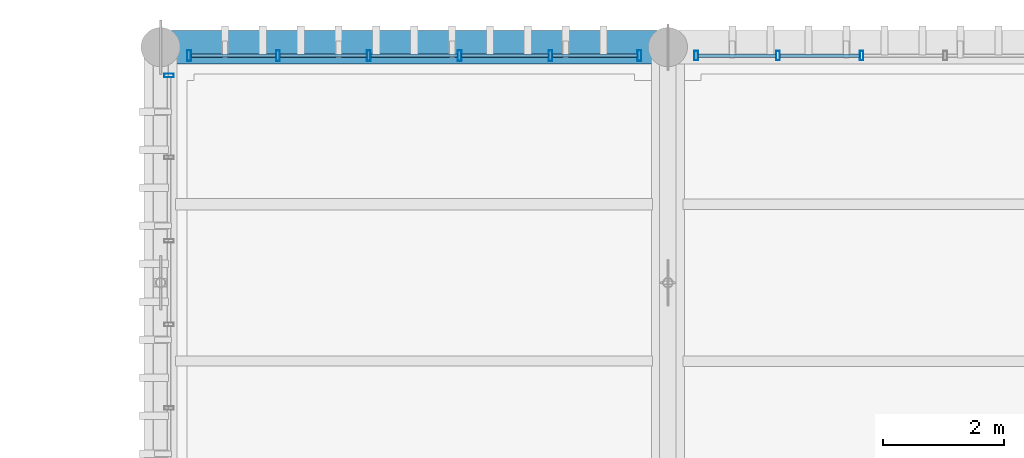
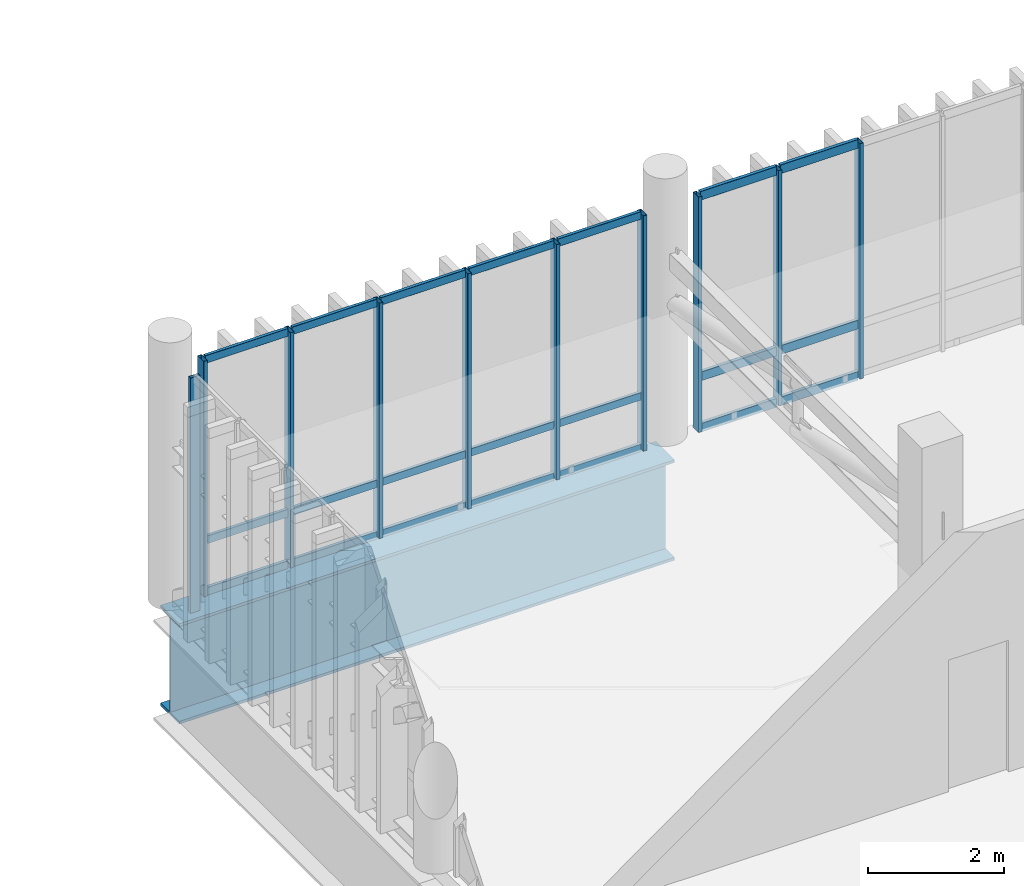
# One storey, part 49 of 81: 31 members, 1 beam, 3 elements without a shape of their own.
"""IFC4 building model written with IfcOpenShell, lengths in metres."""

from ifc_helpers import new_model, si_unit, direction, frame, origin_with_axes, origin_2d_with_axis, place, context, subcontext, project, spatial, hollow_rectangle, i_section, extrude, material, material_profile, profile_set, type_object, element, aggregate, save


model = new_model("IFC4")

# Units and contexts
model_context = context("Model", 3, precision=1e-05, world=origin_with_axes(), true_north=direction((0.0, 1.0)))
body_context = subcontext(model_context, "Body", "Model", "MODEL_VIEW")
ifc_project = project(units=[si_unit("LENGTHUNIT", "METRE"), si_unit("AREAUNIT", "SQUARE_METRE"), si_unit("VOLUMEUNIT", "CUBIC_METRE"), si_unit("PLANEANGLEUNIT", "RADIAN"), si_unit("MASSUNIT", "GRAM", prefix="KILO"), si_unit("THERMODYNAMICTEMPERATUREUNIT", "KELVIN")], contexts=[model_context])

# Site, building, storey
site_placement = place(None, origin_with_axes())
site = spatial("IfcSite", under=ifc_project, at=site_placement, CompositionType="ELEMENT")
building_placement = place(site_placement, origin_with_axes())
building = spatial("IfcBuilding", under=site, at=building_placement, Name="Montbau Bow Law Courts", CompositionType="ELEMENT")
storey_placement = place(building_placement, frame((0.0, 0.0, 24.9), z_axis=(0.0, 0.0, 1.0), x_axis=(1.0, 0.0, 0.0)))
storey = spatial("IfcBuildingStorey", under=building, at=storey_placement, Name="L05", CompositionType="ELEMENT", Elevation=24.9)

# Beam
ifc_material_1 = material(Name="Steel CSA G40.21 Grade 350WT (350 MPa)", Category="steel")
ifc_material_profile_1 = material_profile(ifc_material_1, i_section(OverallWidth=0.55, OverallDepth=1.8, WebThickness=0.022, FlangeThickness=0.05, at=origin_2d_with_axis()), Name="WWF1800X550", Category="Main", Priority=0)
ifc_profile_set_1 = profile_set([ifc_material_profile_1], Name="Steel CSA G40.21 Grade 350WT (350 MPa)")
beam_type = type_object("IfcBeamType", Name="B-TRG-01", PredefinedType="USERDEFINED", material=ifc_profile_set_1)
beam_placement = place(None, frame((138.6, 111.0, 23.7), z_axis=(1.0, 0.0, 0.0), x_axis=(0.0, 1.0, 0.0)))
element("IfcBeam", 1, at=beam_placement, inside=storey, type_object=beam_type, Name="TRG-L05-S0086:bm2_0089", ObjectType="GIRDER", PredefinedType="USERDEFINED", context=body_context, shape_type="SweptSolid", body=[
    extrude(i_section(OverallWidth=0.55, OverallDepth=1.8, WebThickness=0.022, FlangeThickness=0.05, at=origin_2d_with_axis()), origin_with_axes(), (0.0, 0.0, 1.0), 8.4),
])

# Curtain wall, members
ifc_material_2 = material(Name="Thermally Broken Extruded Aluminium AA 6063-T6", Category="aluminium")
curtain_wall_type = type_object("IfcCurtainWallType", Name="CW-SLT-02", PredefinedType="NOTDEFINED", material=ifc_material_2)
curtain_wall_1_placement = place(None, frame((139.04, 110.86, 24.9), z_axis=(0.0, 0.0, 1.0), x_axis=(1.0, 0.0, 0.0)))
curtain_wall_1 = element("IfcCurtainWall", 2, at=curtain_wall_1_placement, inside=storey, type_object=curtain_wall_type, Name="CW-L05-337:cw_0337", PredefinedType="NOTDEFINED")
ifc_material_profile_2 = material_profile(ifc_material_2, hollow_rectangle(XDim=0.065, YDim=0.18, WallThickness=0.005, InnerFilletRadius=0.01, OuterFilletRadius=0.005, at=origin_2d_with_axis()), Name="CWM-180X65", Category="Main", Priority=0)
ifc_profile_set_2 = profile_set([ifc_material_profile_2], Name="Thermally Broken Extruded Aluminium AA 6063-T6")
member_type_1 = type_object("IfcMemberType", Name="M-MUL-02", PredefinedType="MULLION", material=ifc_profile_set_2)
member_1_placement = place(None, frame((139.073, 110.86, 24.9), z_axis=(0.0, 0.0, 1.0), x_axis=(1.0, 0.0, 0.0)))
member_1 = element("IfcMember", 3, at=member_1_placement, type_object=member_type_1, Name="CW-L05-337-M01:cw_0337_M01", PredefinedType="MULLION", context=body_context, shape_type="SweptSolid", body=[
    extrude(hollow_rectangle(XDim=0.065, YDim=0.18, WallThickness=0.005, InnerFilletRadius=0.01, OuterFilletRadius=0.005, at=origin_2d_with_axis()), origin_with_axes(), (0.0, 0.0, 1.0), 4.22),
])
member_2_placement = place(None, frame((140.544, 110.86, 24.9), z_axis=(0.0, 0.0, 1.0), x_axis=(1.0, 0.0, 0.0)))
member_2 = element("IfcMember", 4, at=member_2_placement, type_object=member_type_1, Name="CW-L05-337-M02:cw_0337_M02", PredefinedType="MULLION", context=body_context, shape_type="SweptSolid", body=[
    extrude(hollow_rectangle(XDim=0.065, YDim=0.18, WallThickness=0.005, InnerFilletRadius=0.01, OuterFilletRadius=0.005, at=origin_2d_with_axis()), origin_with_axes(), (0.0, 0.0, 1.0), 4.22),
])
member_3_placement = place(None, frame((142.048, 110.86, 24.9), z_axis=(0.0, 0.0, 1.0), x_axis=(1.0, 0.0, 0.0)))
member_3 = element("IfcMember", 5, at=member_3_placement, type_object=member_type_1, Name="CW-L05-337-M03:cw_0337_M03", PredefinedType="MULLION", context=body_context, shape_type="SweptSolid", body=[
    extrude(hollow_rectangle(XDim=0.065, YDim=0.18, WallThickness=0.005, InnerFilletRadius=0.01, OuterFilletRadius=0.005, at=origin_2d_with_axis()), origin_with_axes(), (0.0, 0.0, 1.0), 4.22),
])
member_4_placement = place(None, frame((143.552, 110.86, 24.9), z_axis=(0.0, 0.0, 1.0), x_axis=(1.0, 0.0, 0.0)))
member_4 = element("IfcMember", 6, at=member_4_placement, type_object=member_type_1, Name="CW-L05-337-M04:cw_0337_M04", PredefinedType="MULLION", context=body_context, shape_type="SweptSolid", body=[
    extrude(hollow_rectangle(XDim=0.065, YDim=0.18, WallThickness=0.005, InnerFilletRadius=0.01, OuterFilletRadius=0.005, at=origin_2d_with_axis()), origin_with_axes(), (0.0, 0.0, 1.0), 4.22),
])
member_5_placement = place(None, frame((145.056, 110.86, 24.9), z_axis=(0.0, 0.0, 1.0), x_axis=(1.0, 0.0, 0.0)))
member_5 = element("IfcMember", 7, at=member_5_placement, type_object=member_type_1, Name="CW-L05-337-M05:cw_0337_M05", PredefinedType="MULLION", context=body_context, shape_type="SweptSolid", body=[
    extrude(hollow_rectangle(XDim=0.065, YDim=0.18, WallThickness=0.005, InnerFilletRadius=0.01, OuterFilletRadius=0.005, at=origin_2d_with_axis()), origin_with_axes(), (0.0, 0.0, 1.0), 4.22),
])
member_6_placement = place(None, frame((146.528, 110.86, 24.9), z_axis=(0.0, 0.0, 1.0), x_axis=(1.0, 0.0, 0.0)))
member_6 = element("IfcMember", 8, at=member_6_placement, type_object=member_type_1, Name="CW-L05-337-M06:cw_0337_M06", PredefinedType="MULLION", context=body_context, shape_type="SweptSolid", body=[
    extrude(hollow_rectangle(XDim=0.065, YDim=0.18, WallThickness=0.005, InnerFilletRadius=0.01, OuterFilletRadius=0.005, at=origin_2d_with_axis()), origin_with_axes(), (0.0, 0.0, 1.0), 4.22),
])

curtain_wall_2_placement = place(None, frame((147.44, 110.86, 24.9), z_axis=(0.0, 0.0, 1.0), x_axis=(1.0, 0.0, 0.0)))
curtain_wall_2 = element("IfcCurtainWall", 9, at=curtain_wall_2_placement, inside=storey, type_object=curtain_wall_type, Name="CW-L05-338:cw_0338", PredefinedType="NOTDEFINED")
ifc_material_profile_3 = material_profile(ifc_material_2, hollow_rectangle(XDim=0.06, YDim=0.16, WallThickness=0.004, InnerFilletRadius=0.008, OuterFilletRadius=0.004, at=origin_2d_with_axis()), Name="CWM-160X60", Category="Main", Priority=0)
ifc_profile_set_3 = profile_set([ifc_material_profile_3], Name="Thermally Broken Extruded Aluminium AA 6063-T6")
member_type_2 = type_object("IfcMemberType", Name="M-MUL-03", PredefinedType="MULLION", material=ifc_profile_set_3)
member_7_placement = place(None, frame((147.47, 110.86, 24.9), z_axis=(0.0, 0.0, 1.0), x_axis=(1.0, 0.0, 0.0)))
member_7 = element("IfcMember", 10, at=member_7_placement, type_object=member_type_2, Name="CW-L05-338-M01:cw_0338_M01", PredefinedType="MULLION", context=body_context, shape_type="SweptSolid", body=[
    extrude(hollow_rectangle(XDim=0.06, YDim=0.16, WallThickness=0.004, InnerFilletRadius=0.008, OuterFilletRadius=0.004, at=origin_2d_with_axis()), origin_with_axes(), (0.0, 0.0, 1.0), 4.22),
])
member_8_placement = place(None, frame((148.824, 110.86, 24.9), z_axis=(0.0, 0.0, 1.0), x_axis=(1.0, 0.0, 0.0)))
member_8 = element("IfcMember", 11, at=member_8_placement, type_object=member_type_2, Name="CW-L05-338-M02:cw_0338_M02", PredefinedType="MULLION", context=body_context, shape_type="SweptSolid", body=[
    extrude(hollow_rectangle(XDim=0.06, YDim=0.16, WallThickness=0.004, InnerFilletRadius=0.008, OuterFilletRadius=0.004, at=origin_2d_with_axis()), origin_with_axes(), (0.0, 0.0, 1.0), 4.22),
])
member_9_placement = place(None, frame((150.208, 110.86, 24.9), z_axis=(0.0, 0.0, 1.0), x_axis=(1.0, 0.0, 0.0)))
member_9 = element("IfcMember", 12, at=member_9_placement, type_object=member_type_2, Name="CW-L05-338-M03:cw_0338_M03", PredefinedType="MULLION", context=body_context, shape_type="SweptSolid", body=[
    extrude(hollow_rectangle(XDim=0.06, YDim=0.16, WallThickness=0.004, InnerFilletRadius=0.008, OuterFilletRadius=0.004, at=origin_2d_with_axis()), origin_with_axes(), (0.0, 0.0, 1.0), 4.22),
])

# Curtain wall, member
curtain_wall_3_placement = place(None, frame((138.74, 103.64, 24.9), z_axis=(0.0, 0.0, 1.0), x_axis=(1.0, 0.0, 0.0)))
curtain_wall_3 = element("IfcCurtainWall", 13, at=curtain_wall_3_placement, inside=storey, type_object=curtain_wall_type, Name="CW-L05-344:cw_0344", PredefinedType="NOTDEFINED")
member_10_placement = place(None, frame((138.74, 110.53, 24.9), z_axis=(0.0, 0.0, 1.0), x_axis=(0.0, 1.0, 0.0)))
member_10 = element("IfcMember", 14, at=member_10_placement, type_object=member_type_2, Name="CW-L05-344-M06:cw_0344_M06", PredefinedType="MULLION", context=body_context, shape_type="SweptSolid", body=[
    extrude(hollow_rectangle(XDim=0.06, YDim=0.16, WallThickness=0.004, InnerFilletRadius=0.008, OuterFilletRadius=0.004, at=origin_2d_with_axis()), origin_with_axes(), (0.0, 0.0, 1.0), 4.22),
])
aggregate(curtain_wall_3, [member_10])

# Member
ifc_material_profile_4 = material_profile(ifc_material_2, hollow_rectangle(XDim=0.06, YDim=0.16, WallThickness=0.004, InnerFilletRadius=0.008, OuterFilletRadius=0.004, at=origin_2d_with_axis()), Name="CWT-160X60", Category="Main", Priority=0)
ifc_profile_set_4 = profile_set([ifc_material_profile_4], Name="Thermally Broken Extruded Aluminium AA 6063-T6")
member_type_3 = type_object("IfcMemberType", Name="M-TRN-01", PredefinedType="USERDEFINED", material=ifc_profile_set_4)
member_11_placement = place(None, frame((147.502, 110.86, 24.93), z_axis=(1.0, 0.0, 0.0), x_axis=(0.0, 1.0, 0.0)))
member_11 = element("IfcMember", 15, at=member_11_placement, type_object=member_type_3, Name="CW-L05-338-T01-1:cw_0338_T01_1", ObjectType="TRANSOM", PredefinedType="USERDEFINED", context=body_context, shape_type="SweptSolid", body=[
    extrude(hollow_rectangle(XDim=0.06, YDim=0.16, WallThickness=0.004, InnerFilletRadius=0.008, OuterFilletRadius=0.004, at=origin_2d_with_axis()), origin_with_axes(), (0.0, 0.0, 1.0), 1.29),
])

member_12_placement = place(None, frame((147.502, 110.86, 25.85), z_axis=(1.0, 0.0, 0.0), x_axis=(0.0, 1.0, 0.0)))
member_12 = element("IfcMember", 16, at=member_12_placement, type_object=member_type_3, Name="CW-L05-338-T01-2:cw_0338_T01_2", ObjectType="TRANSOM", PredefinedType="USERDEFINED", context=body_context, shape_type="SweptSolid", body=[
    extrude(hollow_rectangle(XDim=0.06, YDim=0.16, WallThickness=0.004, InnerFilletRadius=0.008, OuterFilletRadius=0.004, at=origin_2d_with_axis()), origin_with_axes(), (0.0, 0.0, 1.0), 1.29),
])

member_13_placement = place(None, frame((147.502, 110.86, 29.09), z_axis=(1.0, 0.0, 0.0), x_axis=(0.0, 1.0, 0.0)))
member_13 = element("IfcMember", 17, at=member_13_placement, type_object=member_type_3, Name="CW-L05-338-T01-3:cw_0338_T01_3", ObjectType="TRANSOM", PredefinedType="USERDEFINED", context=body_context, shape_type="SweptSolid", body=[
    extrude(hollow_rectangle(XDim=0.06, YDim=0.16, WallThickness=0.004, InnerFilletRadius=0.008, OuterFilletRadius=0.004, at=origin_2d_with_axis()), origin_with_axes(), (0.0, 0.0, 1.0), 1.29),
])

member_14_placement = place(None, frame((148.856, 110.86, 24.93), z_axis=(1.0, 0.0, 0.0), x_axis=(0.0, 1.0, 0.0)))
member_14 = element("IfcMember", 18, at=member_14_placement, type_object=member_type_3, Name="CW-L05-338-T02-1:cw_0338_T02_1", ObjectType="TRANSOM", PredefinedType="USERDEFINED", context=body_context, shape_type="SweptSolid", body=[
    extrude(hollow_rectangle(XDim=0.06, YDim=0.16, WallThickness=0.004, InnerFilletRadius=0.008, OuterFilletRadius=0.004, at=origin_2d_with_axis()), origin_with_axes(), (0.0, 0.0, 1.0), 1.32),
])

member_15_placement = place(None, frame((148.856, 110.86, 25.85), z_axis=(1.0, 0.0, 0.0), x_axis=(0.0, 1.0, 0.0)))
member_15 = element("IfcMember", 19, at=member_15_placement, type_object=member_type_3, Name="CW-L05-338-T02-2:cw_0338_T02_2", ObjectType="TRANSOM", PredefinedType="USERDEFINED", context=body_context, shape_type="SweptSolid", body=[
    extrude(hollow_rectangle(XDim=0.06, YDim=0.16, WallThickness=0.004, InnerFilletRadius=0.008, OuterFilletRadius=0.004, at=origin_2d_with_axis()), origin_with_axes(), (0.0, 0.0, 1.0), 1.32),
])

member_16_placement = place(None, frame((148.856, 110.86, 29.09), z_axis=(1.0, 0.0, 0.0), x_axis=(0.0, 1.0, 0.0)))
member_16 = element("IfcMember", 20, at=member_16_placement, type_object=member_type_3, Name="CW-L05-338-T02-3:cw_0338_T02_3", ObjectType="TRANSOM", PredefinedType="USERDEFINED", context=body_context, shape_type="SweptSolid", body=[
    extrude(hollow_rectangle(XDim=0.06, YDim=0.16, WallThickness=0.004, InnerFilletRadius=0.008, OuterFilletRadius=0.004, at=origin_2d_with_axis()), origin_with_axes(), (0.0, 0.0, 1.0), 1.32),
])

aggregate(curtain_wall_2, [member_7, member_8, member_9, member_11, member_12, member_13, member_14, member_15, member_16])

ifc_material_profile_5 = material_profile(ifc_material_2, hollow_rectangle(XDim=0.055, YDim=0.14, WallThickness=0.004, InnerFilletRadius=0.008, OuterFilletRadius=0.004, at=origin_2d_with_axis()), Name="CWT-140X55", Category="Main", Priority=0)
ifc_profile_set_5 = profile_set([ifc_material_profile_5], Name="Thermally Broken Extruded Aluminium AA 6063-T6")
member_type_4 = type_object("IfcMemberType", Name="M-TRN-02", PredefinedType="USERDEFINED", material=ifc_profile_set_5)
member_17_placement = place(None, frame((139.108, 110.86, 24.927), z_axis=(1.0, 0.0, 0.0), x_axis=(0.0, 1.0, 0.0)))
member_17 = element("IfcMember", 21, at=member_17_placement, type_object=member_type_4, Name="CW-L05-337-T01-1:cw_0337_T01_1", ObjectType="TRANSOM", PredefinedType="USERDEFINED", context=body_context, shape_type="SweptSolid", body=[
    extrude(hollow_rectangle(XDim=0.055, YDim=0.14, WallThickness=0.004, InnerFilletRadius=0.008, OuterFilletRadius=0.004, at=origin_2d_with_axis()), origin_with_axes(), (0.0, 0.0, 1.0), 1.402),
])

member_18_placement = place(None, frame((139.108, 110.86, 25.85), z_axis=(1.0, 0.0, 0.0), x_axis=(0.0, 1.0, 0.0)))
member_18 = element("IfcMember", 22, at=member_18_placement, type_object=member_type_4, Name="CW-L05-337-T01-2:cw_0337_T01_2", ObjectType="TRANSOM", PredefinedType="USERDEFINED", context=body_context, shape_type="SweptSolid", body=[
    extrude(hollow_rectangle(XDim=0.055, YDim=0.14, WallThickness=0.004, InnerFilletRadius=0.008, OuterFilletRadius=0.004, at=origin_2d_with_axis()), origin_with_axes(), (0.0, 0.0, 1.0), 1.402),
])

member_19_placement = place(None, frame((139.108, 110.86, 29.093), z_axis=(1.0, 0.0, 0.0), x_axis=(0.0, 1.0, 0.0)))
member_19 = element("IfcMember", 23, at=member_19_placement, type_object=member_type_4, Name="CW-L05-337-T01-3:cw_0337_T01_3", ObjectType="TRANSOM", PredefinedType="USERDEFINED", context=body_context, shape_type="SweptSolid", body=[
    extrude(hollow_rectangle(XDim=0.055, YDim=0.14, WallThickness=0.004, InnerFilletRadius=0.008, OuterFilletRadius=0.004, at=origin_2d_with_axis()), origin_with_axes(), (0.0, 0.0, 1.0), 1.402),
])

member_20_placement = place(None, frame((140.578, 110.86, 24.927), z_axis=(1.0, 0.0, 0.0), x_axis=(0.0, 1.0, 0.0)))
member_20 = element("IfcMember", 24, at=member_20_placement, type_object=member_type_4, Name="CW-L05-337-T02-1:cw_0337_T02_1", ObjectType="TRANSOM", PredefinedType="USERDEFINED", context=body_context, shape_type="SweptSolid", body=[
    extrude(hollow_rectangle(XDim=0.055, YDim=0.14, WallThickness=0.004, InnerFilletRadius=0.008, OuterFilletRadius=0.004, at=origin_2d_with_axis()), origin_with_axes(), (0.0, 0.0, 1.0), 1.436),
])

member_21_placement = place(None, frame((140.578, 110.86, 25.85), z_axis=(1.0, 0.0, 0.0), x_axis=(0.0, 1.0, 0.0)))
member_21 = element("IfcMember", 25, at=member_21_placement, type_object=member_type_4, Name="CW-L05-337-T02-2:cw_0337_T02_2", ObjectType="TRANSOM", PredefinedType="USERDEFINED", context=body_context, shape_type="SweptSolid", body=[
    extrude(hollow_rectangle(XDim=0.055, YDim=0.14, WallThickness=0.004, InnerFilletRadius=0.008, OuterFilletRadius=0.004, at=origin_2d_with_axis()), origin_with_axes(), (0.0, 0.0, 1.0), 1.436),
])

member_22_placement = place(None, frame((140.578, 110.86, 29.093), z_axis=(1.0, 0.0, 0.0), x_axis=(0.0, 1.0, 0.0)))
member_22 = element("IfcMember", 26, at=member_22_placement, type_object=member_type_4, Name="CW-L05-337-T02-3:cw_0337_T02_3", ObjectType="TRANSOM", PredefinedType="USERDEFINED", context=body_context, shape_type="SweptSolid", body=[
    extrude(hollow_rectangle(XDim=0.055, YDim=0.14, WallThickness=0.004, InnerFilletRadius=0.008, OuterFilletRadius=0.004, at=origin_2d_with_axis()), origin_with_axes(), (0.0, 0.0, 1.0), 1.436),
])

member_23_placement = place(None, frame((142.082, 110.86, 24.927), z_axis=(1.0, 0.0, 0.0), x_axis=(0.0, 1.0, 0.0)))
member_23 = element("IfcMember", 27, at=member_23_placement, type_object=member_type_4, Name="CW-L05-337-T03-1:cw_0337_T03_1", ObjectType="TRANSOM", PredefinedType="USERDEFINED", context=body_context, shape_type="SweptSolid", body=[
    extrude(hollow_rectangle(XDim=0.055, YDim=0.14, WallThickness=0.004, InnerFilletRadius=0.008, OuterFilletRadius=0.004, at=origin_2d_with_axis()), origin_with_axes(), (0.0, 0.0, 1.0), 1.436),
])

member_24_placement = place(None, frame((142.082, 110.86, 25.85), z_axis=(1.0, 0.0, 0.0), x_axis=(0.0, 1.0, 0.0)))
member_24 = element("IfcMember", 28, at=member_24_placement, type_object=member_type_4, Name="CW-L05-337-T03-2:cw_0337_T03_2", ObjectType="TRANSOM", PredefinedType="USERDEFINED", context=body_context, shape_type="SweptSolid", body=[
    extrude(hollow_rectangle(XDim=0.055, YDim=0.14, WallThickness=0.004, InnerFilletRadius=0.008, OuterFilletRadius=0.004, at=origin_2d_with_axis()), origin_with_axes(), (0.0, 0.0, 1.0), 1.436),
])

member_25_placement = place(None, frame((142.082, 110.86, 29.093), z_axis=(1.0, 0.0, 0.0), x_axis=(0.0, 1.0, 0.0)))
member_25 = element("IfcMember", 29, at=member_25_placement, type_object=member_type_4, Name="CW-L05-337-T03-3:cw_0337_T03_3", ObjectType="TRANSOM", PredefinedType="USERDEFINED", context=body_context, shape_type="SweptSolid", body=[
    extrude(hollow_rectangle(XDim=0.055, YDim=0.14, WallThickness=0.004, InnerFilletRadius=0.008, OuterFilletRadius=0.004, at=origin_2d_with_axis()), origin_with_axes(), (0.0, 0.0, 1.0), 1.436),
])

member_26_placement = place(None, frame((143.586, 110.86, 24.927), z_axis=(1.0, 0.0, 0.0), x_axis=(0.0, 1.0, 0.0)))
member_26 = element("IfcMember", 30, at=member_26_placement, type_object=member_type_4, Name="CW-L05-337-T04-1:cw_0337_T04_1", ObjectType="TRANSOM", PredefinedType="USERDEFINED", context=body_context, shape_type="SweptSolid", body=[
    extrude(hollow_rectangle(XDim=0.055, YDim=0.14, WallThickness=0.004, InnerFilletRadius=0.008, OuterFilletRadius=0.004, at=origin_2d_with_axis()), origin_with_axes(), (0.0, 0.0, 1.0), 1.436),
])

member_27_placement = place(None, frame((143.586, 110.86, 25.85), z_axis=(1.0, 0.0, 0.0), x_axis=(0.0, 1.0, 0.0)))
member_27 = element("IfcMember", 31, at=member_27_placement, type_object=member_type_4, Name="CW-L05-337-T04-2:cw_0337_T04_2", ObjectType="TRANSOM", PredefinedType="USERDEFINED", context=body_context, shape_type="SweptSolid", body=[
    extrude(hollow_rectangle(XDim=0.055, YDim=0.14, WallThickness=0.004, InnerFilletRadius=0.008, OuterFilletRadius=0.004, at=origin_2d_with_axis()), origin_with_axes(), (0.0, 0.0, 1.0), 1.436),
])

member_28_placement = place(None, frame((143.586, 110.86, 29.093), z_axis=(1.0, 0.0, 0.0), x_axis=(0.0, 1.0, 0.0)))
member_28 = element("IfcMember", 32, at=member_28_placement, type_object=member_type_4, Name="CW-L05-337-T04-3:cw_0337_T04_3", ObjectType="TRANSOM", PredefinedType="USERDEFINED", context=body_context, shape_type="SweptSolid", body=[
    extrude(hollow_rectangle(XDim=0.055, YDim=0.14, WallThickness=0.004, InnerFilletRadius=0.008, OuterFilletRadius=0.004, at=origin_2d_with_axis()), origin_with_axes(), (0.0, 0.0, 1.0), 1.436),
])

member_29_placement = place(None, frame((145.09, 110.86, 24.927), z_axis=(1.0, 0.0, 0.0), x_axis=(0.0, 1.0, 0.0)))
member_29 = element("IfcMember", 33, at=member_29_placement, type_object=member_type_4, Name="CW-L05-337-T05-1:cw_0337_T05_1", ObjectType="TRANSOM", PredefinedType="USERDEFINED", context=body_context, shape_type="SweptSolid", body=[
    extrude(hollow_rectangle(XDim=0.055, YDim=0.14, WallThickness=0.004, InnerFilletRadius=0.008, OuterFilletRadius=0.004, at=origin_2d_with_axis()), origin_with_axes(), (0.0, 0.0, 1.0), 1.404),
])

member_30_placement = place(None, frame((145.09, 110.86, 25.85), z_axis=(1.0, 0.0, 0.0), x_axis=(0.0, 1.0, 0.0)))
member_30 = element("IfcMember", 34, at=member_30_placement, type_object=member_type_4, Name="CW-L05-337-T05-2:cw_0337_T05_2", ObjectType="TRANSOM", PredefinedType="USERDEFINED", context=body_context, shape_type="SweptSolid", body=[
    extrude(hollow_rectangle(XDim=0.055, YDim=0.14, WallThickness=0.004, InnerFilletRadius=0.008, OuterFilletRadius=0.004, at=origin_2d_with_axis()), origin_with_axes(), (0.0, 0.0, 1.0), 1.404),
])

member_31_placement = place(None, frame((145.09, 110.86, 29.093), z_axis=(1.0, 0.0, 0.0), x_axis=(0.0, 1.0, 0.0)))
member_31 = element("IfcMember", 35, at=member_31_placement, type_object=member_type_4, Name="CW-L05-337-T05-3:cw_0337_T05_3", ObjectType="TRANSOM", PredefinedType="USERDEFINED", context=body_context, shape_type="SweptSolid", body=[
    extrude(hollow_rectangle(XDim=0.055, YDim=0.14, WallThickness=0.004, InnerFilletRadius=0.008, OuterFilletRadius=0.004, at=origin_2d_with_axis()), origin_with_axes(), (0.0, 0.0, 1.0), 1.404),
])

aggregate(curtain_wall_1, [member_1, member_2, member_3, member_4, member_5, member_6, member_17, member_18, member_19, member_20, member_21, member_22, member_23, member_24, member_25, member_26, member_27, member_28, member_29, member_30, member_31])

save(model, "model.ifc")
